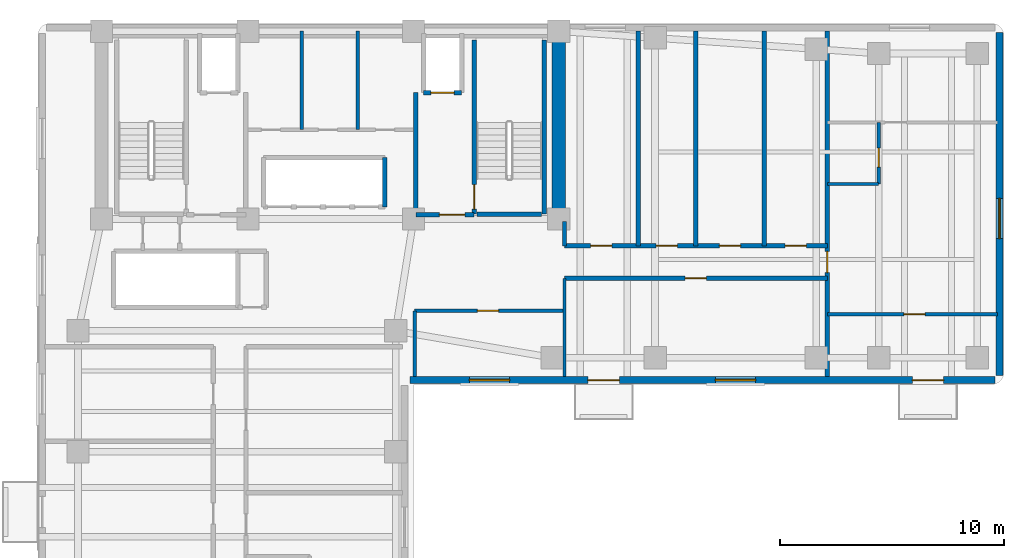
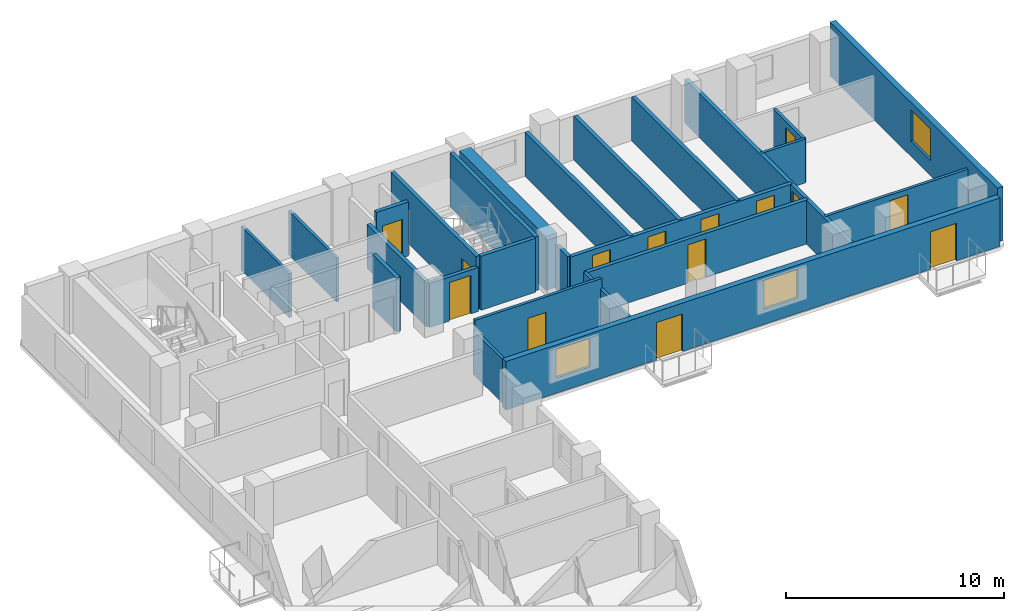
# One storey, part 4 of 7: 25 walls, 14 doors, 3 windows, 17 openings.
"""IFC4 building model written with IfcOpenShell, lengths in metres."""

from ifc_helpers import new_model, si_unit, direction, frame, frame_2d, origin, place, context, subcontext, project, spatial, rectangle, extrude, material, layer, layer_set, type_object, element, fill, save


model = new_model("IFC4")

# Units and contexts
model_context = context("Model", 3, precision=1e-05, world=origin(), true_north=direction((0.0, 1.0)))
body_context = subcontext(model_context, "Body", "Model", "MODEL_VIEW")
ifc_project = project(units=[si_unit("LENGTHUNIT", "METRE"), si_unit("AREAUNIT", "SQUARE_METRE"), si_unit("VOLUMEUNIT", "CUBIC_METRE"), si_unit("PLANEANGLEUNIT", "RADIAN"), si_unit("MASSUNIT", "GRAM", prefix="KILO")], contexts=[model_context])

# Site, building, storey
site_placement = place(None, origin())
site = spatial("IfcSite", under=ifc_project, at=site_placement, CompositionType="ELEMENT")
building_placement = place(site_placement, origin())
building = spatial("IfcBuilding", under=site, at=building_placement, Name="Kuzgunbayir Cultural Tower", CompositionType="ELEMENT")
storey_placement = place(building_placement, frame((0.0, 0.0, 133.0)))
storey = spatial("IfcBuildingStorey", under=building, at=storey_placement, Name="L38", CompositionType="ELEMENT", Elevation=133.0)

# Wall
ifc_material_1 = material(Name="Concrete C60/75", Category="concrete")
ifc_layer_1 = layer(ifc_material_1, 0.60009765625)
ifc_layer_set_1 = layer_set([ifc_layer_1], Name="Concrete C60/75")
wall_type_1 = type_object("IfcWallType", Name="WAL-CORE-600", PredefinedType="SHEAR", material=ifc_layer_set_1)
wall_1_placement = place(storey_placement, frame((26.89990234375, 33.800048828125, 0.0), z_axis=(0.0, 0.0, 1.0), x_axis=(0.0, 1.0, 0.0)))
element("IfcWall", 1, at=wall_1_placement, inside=storey, type_object=wall_type_1, Name="L38 T1 Core East Shear Wall", PredefinedType="SHEAR", context=body_context, shape_type="SweptSolid", body=[
    extrude(rectangle(XDim=7.949951171875, YDim=0.60009765625, at=frame_2d((3.97509765625, 0.0))), origin(), (0.0, 0.0, 1.0), 3.02001953125),
])

# Wall, openings, doors, windows
ifc_material_2 = material(Name="Anatolian Cream Limestone", Category="masonry")
ifc_layer_2 = layer(ifc_material_2, 0.300048828125)
ifc_layer_set_2 = layer_set([ifc_layer_2], Name="Anatolian Cream Limestone")
wall_type_2 = type_object("IfcWallType", Name="WAL-EXT-STONE-300", PredefinedType="STANDARD", material=ifc_layer_set_2)
wall_2_placement = place(storey_placement, frame((20.25, 26.60009765625, 0.0), z_axis=(0.0, 0.0, 1.0), x_axis=(1.0, 0.0, 0.0)))
wall_2 = element("IfcWall", 2, at=wall_2_placement, inside=storey, type_object=wall_type_2, Name="L38 Wing B South Limestone Wall", PredefinedType="STANDARD", context=body_context, shape_type="SweptSolid", body=[
    extrude(rectangle(XDim=26.14990234375, YDim=0.300048828125, at=frame_2d((13.074951171875, 0.0))), origin(), (0.0, 0.0, 1.0), 2.7099609375),
])
opening_1_placement = place(wall_2_placement, frame((7.949951171875, 0.0, 0.0)))
opening_1 = element("IfcOpeningElement", 3, at=opening_1_placement, cuts=wall_2, Name="Opening BD-15", PredefinedType="OPENING", context=body_context, shape_type="SweptSolid", body=[
    extrude(rectangle(XDim=1.39990234375, YDim=2.10009765625, at=frame_2d((0.699951171875, 1.050048828125))), frame((0.0, 0.16015625, 0.0), z_axis=(0.0, -1.0, 0.0), x_axis=(1.0, 0.0, 0.0)), (0.0, 0.0, 1.0), 0.320068359375),
])
opening_2_placement = place(wall_2_placement, frame((22.449951171875, 0.0, 0.0)))
opening_2 = element("IfcOpeningElement", 4, at=opening_2_placement, cuts=wall_2, Name="Opening BD-15", PredefinedType="OPENING", context=body_context, shape_type="SweptSolid", body=[
    extrude(rectangle(XDim=1.39990234375, YDim=2.10009765625, at=frame_2d((0.699951171875, 1.050048828125))), frame((0.0, 0.16015625, 0.0), z_axis=(0.0, -1.0, 0.0), x_axis=(1.0, 0.0, 0.0)), (0.0, 0.0, 1.0), 0.320068359375),
])
opening_3_placement = place(wall_2_placement, frame((2.64990234375, 0.0, 0.85009765625)))
opening_3 = element("IfcOpeningElement", 5, at=opening_3_placement, cuts=wall_2, Name="Opening WH-18", PredefinedType="OPENING", context=body_context, shape_type="SweptSolid", body=[
    extrude(rectangle(XDim=1.800048828125, YDim=1.610107421875, at=frame_2d((0.89990234375, 0.80517578125))), frame((0.0, 0.16015625, 0.0), z_axis=(0.0, -1.0, 0.0), x_axis=(1.0, 0.0, 0.0)), (0.0, 0.0, 1.0), 0.320068359375),
])
opening_4_placement = place(wall_2_placement, frame((13.64990234375, 0.0, 0.85009765625)))
opening_4 = element("IfcOpeningElement", 6, at=opening_4_placement, cuts=wall_2, Name="Opening WH-18", PredefinedType="OPENING", context=body_context, shape_type="SweptSolid", body=[
    extrude(rectangle(XDim=1.800048828125, YDim=1.610107421875, at=frame_2d((0.89990234375, 0.80517578125))), frame((0.0, 0.16015625, 0.0), z_axis=(0.0, -1.0, 0.0), x_axis=(1.0, 0.0, 0.0)), (0.0, 0.0, 1.0), 0.320068359375),
])
ifc_material_3 = material(Name="Thermally Broken Glazed Aluminium", Category="aluminium")
door_type_1 = type_object("IfcDoorType", Name="DR-BALCONY-150", OperationType="SLIDING_TO_RIGHT", PredefinedType="DOOR", material=ifc_material_3)
door_1_placement = place(opening_1_placement, origin())
door_1 = element("IfcDoor", 7, at=door_1_placement, inside=storey, type_object=door_type_1, Name="L38 South Balcony Sliding Door BAL-L38-WB1", OperationType="SLIDING_TO_RIGHT", OverallHeight=2.10009765625, OverallWidth=1.39990234375, PredefinedType="DOOR", context=body_context, shape_type="SweptSolid", body=[
    extrude(rectangle(XDim=1.39990234375, YDim=2.10009765625, at=frame_2d((0.699951171875, 1.050048828125))), frame((0.0, 0.02490234375, 0.0), z_axis=(0.0, -1.0, 0.0), x_axis=(1.0, 0.0, 0.0)), (0.0, 0.0, 1.0), 0.050048828125),
])
fill(opening_1, door_1)
door_2_placement = place(opening_2_placement, origin())
door_2 = element("IfcDoor", 8, at=door_2_placement, inside=storey, type_object=door_type_1, Name="L38 South Balcony Sliding Door BAL-L38-WB3", OperationType="SLIDING_TO_RIGHT", OverallHeight=2.10009765625, OverallWidth=1.39990234375, PredefinedType="DOOR", context=body_context, shape_type="SweptSolid", body=[
    extrude(rectangle(XDim=1.39990234375, YDim=2.10009765625, at=frame_2d((0.699951171875, 1.050048828125))), frame((0.0, 0.02490234375, 0.0), z_axis=(0.0, -1.0, 0.0), x_axis=(1.0, 0.0, 0.0)), (0.0, 0.0, 1.0), 0.050048828125),
])
fill(opening_2, door_2)
ifc_material_4 = material(Name="Solar-Control Triple Glazing", Category="glass")
window_type = type_object("IfcWindowType", Name="WIN-HOTEL-18", PartitioningType="SINGLE_PANEL", PredefinedType="WINDOW", material=ifc_material_4)
window_1_placement = place(opening_3_placement, origin())
window_1 = element("IfcWindow", 9, at=window_1_placement, inside=storey, type_object=window_type, Name="L38 WBS Facade Window 1", OverallHeight=1.610107421875, OverallWidth=1.800048828125, PartitioningType="SINGLE_PANEL", PredefinedType="WINDOW", context=body_context, shape_type="SweptSolid", body=[
    extrude(rectangle(XDim=1.800048828125, YDim=1.610107421875, at=frame_2d((0.89990234375, 0.80517578125))), frame((0.0, 0.030029296875, 0.0), z_axis=(0.0, -1.0, 0.0), x_axis=(1.0, 0.0, 0.0)), (0.0, 0.0, 1.0), 0.06005859375),
])
fill(opening_3, window_1)
window_2_placement = place(opening_4_placement, origin())
window_2 = element("IfcWindow", 10, at=window_2_placement, inside=storey, type_object=window_type, Name="L38 WBS Facade Window 13", OverallHeight=1.610107421875, OverallWidth=1.800048828125, PartitioningType="SINGLE_PANEL", PredefinedType="WINDOW", context=body_context, shape_type="SweptSolid", body=[
    extrude(rectangle(XDim=1.800048828125, YDim=1.610107421875, at=frame_2d((0.89990234375, 0.80517578125))), frame((0.0, 0.030029296875, 0.0), z_axis=(0.0, -1.0, 0.0), x_axis=(1.0, 0.0, 0.0)), (0.0, 0.0, 1.0), 0.06005859375),
])
fill(opening_4, window_2)

# Wall, opening, window
wall_3_placement = place(storey_placement, frame((46.60009765625, 26.800048828125, 0.0), z_axis=(0.0, 0.0, 1.0), x_axis=(0.0, 1.0, 0.0)))
wall_3 = element("IfcWall", 11, at=wall_3_placement, inside=storey, type_object=wall_type_2, Name="L38 Wing B East Limestone Wall", PredefinedType="STANDARD", context=body_context, shape_type="SweptSolid", body=[
    extrude(rectangle(XDim=15.349853515625, YDim=0.300048828125, at=frame_2d((7.6748046875, 0.0))), origin(), (0.0, 0.0, 1.0), 3.02001953125),
])
opening_5_placement = place(wall_3_placement, frame((6.1298828125, 0.0, 0.85009765625)))
opening_5 = element("IfcOpeningElement", 12, at=opening_5_placement, cuts=wall_3, Name="Opening WH-18", PredefinedType="OPENING", context=body_context, shape_type="SweptSolid", body=[
    extrude(rectangle(XDim=1.800048828125, YDim=1.75, at=frame_2d((0.89990234375, 0.875))), frame((0.0, 0.16015625, 0.0), z_axis=(0.0, -1.0, 0.0), x_axis=(1.0, 0.0, 0.0)), (0.0, 0.0, 1.0), 0.320068359375),
])
window_3_placement = place(opening_5_placement, origin())
window_3 = element("IfcWindow", 13, at=window_3_placement, inside=storey, type_object=window_type, Name="L38 WBE Facade Window 7", OverallHeight=1.75, OverallWidth=1.800048828125, PartitioningType="SINGLE_PANEL", PredefinedType="WINDOW", context=body_context, shape_type="SweptSolid", body=[
    extrude(rectangle(XDim=1.800048828125, YDim=1.75, at=frame_2d((0.89990234375, 0.875))), frame((0.0, 0.030029296875, 0.0), z_axis=(0.0, -1.0, 0.0), x_axis=(1.0, 0.0, 0.0)), (0.0, 0.0, 1.0), 0.06005859375),
])
fill(opening_5, window_3)

# Walls
ifc_material_5 = material(Name="Acoustic Double-Stud Drywall", Category="gypsum")
ifc_layer_3 = layer(ifc_material_5, 0.14990234375)
ifc_layer_set_3 = layer_set([ifc_layer_3], Name="Acoustic Double-Stud Drywall")
wall_type_3 = type_object("IfcWallType", Name="WAL-PART-ACOUSTIC-150", PredefinedType="PARTITIONING", material=ifc_layer_set_3)
for number, where, z_axis, x_axis, name in (
    (14, (15.39990234375, 37.800048828125, 0.0), (0.0, 0.0, 1.0), (0.0, 1.0, 0.0), "L38 Core Pod Partition 1"),
    (15, (17.89990234375, 37.800048828125, 0.0), (0.0, 0.0, 1.0), (0.0, 1.0, 0.0), "L38 Core Pod Partition 2"),
):
    element("IfcWall", number, at=place(storey_placement, frame(where, z_axis=z_axis, x_axis=x_axis)), inside=storey, type_object=wall_type_3, Name=name, PredefinedType="PARTITIONING", context=body_context, shape_type="SweptSolid", body=[
        extrude(rectangle(XDim=4.39990234375, YDim=0.14990234375, at=frame_2d((2.199951171875, 0.0))), origin(), (0.0, 0.0, 1.0), 2.4599609375),
    ])

# Wall, opening, door
wall_4_placement = place(storey_placement, frame((20.449951171875, 29.699951171875, 0.0), z_axis=(0.0, 0.0, 1.0), x_axis=(1.0, 0.0, 0.0)))
wall_4 = element("IfcWall", 16, at=wall_4_placement, inside=storey, type_object=wall_type_3, Name="L38 Waist Alcove North Wall", PredefinedType="PARTITIONING", context=body_context, shape_type="SweptSolid", body=[
    extrude(rectangle(XDim=6.699951171875, YDim=0.14990234375, at=frame_2d((3.35009765625, 0.0))), origin(), (0.0, 0.0, 1.0), 3.02001953125),
])
opening_6_placement = place(wall_4_placement, frame((2.800048828125, 0.0, 0.0)))
opening_6 = element("IfcOpeningElement", 17, at=opening_6_placement, cuts=wall_4, Name="Opening DI-90", PredefinedType="OPENING", context=body_context, shape_type="SweptSolid", body=[
    extrude(rectangle(XDim=0.949951171875, YDim=2.14990234375, at=frame_2d((0.47509765625, 1.074951171875))), frame((0.0, 0.0849609375, 0.0), z_axis=(0.0, -1.0, 0.0), x_axis=(1.0, 0.0, 0.0)), (0.0, 0.0, 1.0), 0.169921875),
])
ifc_material_6 = material(Name="Veneered Oak Single Leaf", Category="wood")
door_type_2 = type_object("IfcDoorType", Name="DR-INT-90", OperationType="NOTDEFINED", PredefinedType="DOOR", material=ifc_material_6)
door_3_placement = place(opening_6_placement, origin())
door_3 = element("IfcDoor", 18, at=door_3_placement, inside=storey, type_object=door_type_2, Name="L38 Waist Alcove Door", OperationType="SINGLE_SWING_RIGHT", OverallHeight=2.14990234375, OverallWidth=0.949951171875, PredefinedType="DOOR", context=body_context, shape_type="SweptSolid", body=[
    extrude(rectangle(XDim=0.949951171875, YDim=2.14990234375, at=frame_2d((0.47509765625, 1.074951171875))), frame((0.0, 0.02490234375, 0.0), z_axis=(0.0, -1.0, 0.0), x_axis=(1.0, 0.0, 0.0)), (0.0, 0.0, 1.0), 0.050048828125),
])
fill(opening_6, door_3)

# Walls
wall_5_placement = place(storey_placement, frame((20.449951171875, 26.75, 0.0), z_axis=(0.0, 0.0, 1.0), x_axis=(0.0, 1.0, 0.0)))
element("IfcWall", 19, at=wall_5_placement, inside=storey, type_object=wall_type_3, Name="L38 Waist Alcove West Wall", PredefinedType="PARTITIONING", context=body_context, shape_type="SweptSolid", body=[
    extrude(rectangle(XDim=2.949951171875, YDim=0.14990234375, at=frame_2d((1.47509765625, 0.0))), origin(), (0.0, 0.0, 1.0), 2.4599609375),
])
wall_6_placement = place(storey_placement, frame((27.14990234375, 26.75, 0.0), z_axis=(0.0, 0.0, 1.0), x_axis=(0.0, 1.0, 0.0)))
element("IfcWall", 20, at=wall_6_placement, inside=storey, type_object=wall_type_3, Name="L38 Waist Alcove East Wall", PredefinedType="PARTITIONING", context=body_context, shape_type="SweptSolid", body=[
    extrude(rectangle(XDim=4.39990234375, YDim=0.14990234375, at=frame_2d((2.199951171875, 0.0))), origin(), (0.0, 0.0, 1.0), 2.4599609375),
])
ifc_material_7 = material(Name="Aerated Concrete Blockwork", Category="masonry")
ifc_layer_4 = layer(ifc_material_7, 0.199951171875)
ifc_layer_set_4 = layer_set([ifc_layer_4], Name="Aerated Concrete Blockwork")
wall_type_4 = type_object("IfcWallType", Name="WAL-PART-FIRE-200", PredefinedType="PARTITIONING", material=ifc_layer_set_4)
wall_7_placement = place(storey_placement, frame((20.5, 34.0, 0.0), z_axis=(0.0, 0.0, 1.0), x_axis=(0.0, 1.0, 0.0)))
element("IfcWall", 21, at=wall_7_placement, inside=storey, type_object=wall_type_4, Name="L38 FFL-2 Lobby West Fire Wall", PredefinedType="PARTITIONING", context=body_context, shape_type="SweptSolid", body=[
    extrude(rectangle(XDim=5.449951171875, YDim=0.199951171875, at=frame_2d((2.72509765625, 0.0))), origin(), (0.0, 0.0, 1.0), 2.4599609375),
])

# Wall, opening, door
wall_8_placement = place(storey_placement, frame((20.5, 34.0, 0.0), z_axis=(0.0, 0.0, 1.0), x_axis=(1.0, 0.0, 0.0)))
wall_8 = element("IfcWall", 22, at=wall_8_placement, inside=storey, type_object=wall_type_4, Name="L38 FFL-2 Lobby South Fire Wall", PredefinedType="PARTITIONING", context=body_context, shape_type="SweptSolid", body=[
    extrude(rectangle(XDim=2.60009765625, YDim=0.199951171875, at=frame_2d((1.300048828125, 0.0))), origin(), (0.0, 0.0, 1.0), 2.4599609375),
])
opening_7_placement = place(wall_8_placement, frame((1.050048828125, 0.0, 0.0)))
opening_7 = element("IfcOpeningElement", 23, at=opening_7_placement, cuts=wall_8, Name="Opening DR-FFL-90", PredefinedType="OPENING", context=body_context, shape_type="SweptSolid", body=[
    extrude(rectangle(XDim=1.14990234375, YDim=2.14990234375, at=frame_2d((0.574951171875, 1.074951171875))), frame((0.0, 0.10986328125, 0.0), z_axis=(0.0, -1.0, 0.0), x_axis=(1.0, 0.0, 0.0)), (0.0, 0.0, 1.0), 0.219970703125),
])
ifc_material_8 = material(Name="Steel S355J2", Category="steel")
door_type_3 = type_object("IfcDoorType", Name="DR-FFL-90", OperationType="NOTDEFINED", PredefinedType="DOOR", material=ifc_material_8)
door_4_placement = place(opening_7_placement, origin())
door_4 = element("IfcDoor", 24, at=door_4_placement, inside=storey, type_object=door_type_3, Name="L38 Firefighting Lobby 2 Door", OperationType="SINGLE_SWING_RIGHT", OverallHeight=2.14990234375, OverallWidth=1.14990234375, PredefinedType="DOOR", context=body_context, shape_type="SweptSolid", body=[
    extrude(rectangle(XDim=1.14990234375, YDim=2.14990234375, at=frame_2d((0.574951171875, 1.074951171875))), frame((0.0, 0.02490234375, 0.0), z_axis=(0.0, -1.0, 0.0), x_axis=(1.0, 0.0, 0.0)), (0.0, 0.0, 1.0), 0.050048828125),
])
fill(opening_7, door_4)

wall_9_placement = place(storey_placement, frame((27.14990234375, 31.14990234375, 0.0), z_axis=(0.0, 0.0, 1.0), x_axis=(1.0, 0.0, 0.0)))
wall_9 = element("IfcWall", 25, at=wall_9_placement, inside=storey, type_object=wall_type_4, Name="L38 Wing B Hotel Corridor South Wall", PredefinedType="PARTITIONING", context=body_context, shape_type="SweptSolid", body=[
    extrude(rectangle(XDim=11.75, YDim=0.199951171875, at=frame_2d((5.875, 0.0))), origin(), (0.0, 0.0, 1.0), 2.4599609375),
])
opening_8_placement = place(wall_9_placement, frame((5.389892578125, 0.0, 0.0)))
opening_8 = element("IfcOpeningElement", 26, at=opening_8_placement, cuts=wall_9, Name="Opening DI-90", PredefinedType="OPENING", context=body_context, shape_type="SweptSolid", body=[
    extrude(rectangle(XDim=0.949951171875, YDim=2.14990234375, at=frame_2d((0.47509765625, 1.074951171875))), frame((0.0, 0.10986328125, 0.0), z_axis=(0.0, -1.0, 0.0), x_axis=(1.0, 0.0, 0.0)), (0.0, 0.0, 1.0), 0.219970703125),
])
door_5_placement = place(opening_8_placement, origin())
door_5 = element("IfcDoor", 27, at=door_5_placement, inside=storey, type_object=door_type_2, Name="L38 Wellness Consultation Studio B1 Door", OperationType="SINGLE_SWING_RIGHT", OverallHeight=2.14990234375, OverallWidth=0.949951171875, PredefinedType="DOOR", context=body_context, shape_type="SweptSolid", body=[
    extrude(rectangle(XDim=0.949951171875, YDim=2.14990234375, at=frame_2d((0.47509765625, 1.074951171875))), frame((0.0, 0.02490234375, 0.0), z_axis=(0.0, -1.0, 0.0), x_axis=(1.0, 0.0, 0.0)), (0.0, 0.0, 1.0), 0.050048828125),
])
fill(opening_8, door_5)

# Wall, openings, doors
wall_10_placement = place(storey_placement, frame((27.14990234375, 32.60009765625, 0.0), z_axis=(0.0, 0.0, 1.0), x_axis=(1.0, 0.0, 0.0)))
wall_10 = element("IfcWall", 28, at=wall_10_placement, inside=storey, type_object=wall_type_4, Name="L38 Wing B Hotel Corridor North Wall", PredefinedType="PARTITIONING", context=body_context, shape_type="SweptSolid", body=[
    extrude(rectangle(XDim=11.75, YDim=0.199951171875, at=frame_2d((5.875, 0.0))), origin(), (0.0, 0.0, 1.0), 2.4599609375),
])
opening_9_placement = place(wall_10_placement, frame((1.169921875, 0.0, 0.0)))
opening_9 = element("IfcOpeningElement", 29, at=opening_9_placement, cuts=wall_10, Name="Opening DI-90", PredefinedType="OPENING", context=body_context, shape_type="SweptSolid", body=[
    extrude(rectangle(XDim=0.949951171875, YDim=2.14990234375, at=frame_2d((0.47509765625, 1.074951171875))), frame((0.0, 0.10986328125, 0.0), z_axis=(0.0, -1.0, 0.0), x_axis=(1.0, 0.0, 0.0)), (0.0, 0.0, 1.0), 0.219970703125),
])
opening_10_placement = place(wall_10_placement, frame((4.10009765625, 0.0, 0.0)))
opening_10 = element("IfcOpeningElement", 30, at=opening_10_placement, cuts=wall_10, Name="Opening DI-90", PredefinedType="OPENING", context=body_context, shape_type="SweptSolid", body=[
    extrude(rectangle(XDim=0.949951171875, YDim=2.14990234375, at=frame_2d((0.47509765625, 1.074951171875))), frame((0.0, 0.10986328125, 0.0), z_axis=(0.0, -1.0, 0.0), x_axis=(1.0, 0.0, 0.0)), (0.0, 0.0, 1.0), 0.219970703125),
])
opening_11_placement = place(wall_10_placement, frame((6.919921875, 0.0, 0.0)))
opening_11 = element("IfcOpeningElement", 31, at=opening_11_placement, cuts=wall_10, Name="Opening DI-90", PredefinedType="OPENING", context=body_context, shape_type="SweptSolid", body=[
    extrude(rectangle(XDim=0.949951171875, YDim=2.14990234375, at=frame_2d((0.47509765625, 1.074951171875))), frame((0.0, 0.10986328125, 0.0), z_axis=(0.0, -1.0, 0.0), x_axis=(1.0, 0.0, 0.0)), (0.0, 0.0, 1.0), 0.219970703125),
])
opening_12_placement = place(wall_10_placement, frame((9.860107421875, 0.0, 0.0)))
opening_12 = element("IfcOpeningElement", 32, at=opening_12_placement, cuts=wall_10, Name="Opening DI-90", PredefinedType="OPENING", context=body_context, shape_type="SweptSolid", body=[
    extrude(rectangle(XDim=0.949951171875, YDim=2.14990234375, at=frame_2d((0.47509765625, 1.074951171875))), frame((0.0, 0.10986328125, 0.0), z_axis=(0.0, -1.0, 0.0), x_axis=(1.0, 0.0, 0.0)), (0.0, 0.0, 1.0), 0.219970703125),
])
door_6_placement = place(opening_9_placement, origin())
door_6 = element("IfcDoor", 33, at=door_6_placement, inside=storey, type_object=door_type_2, Name="L38 North Wellness Consultation Studio 1 Door", OperationType="SINGLE_SWING_LEFT", OverallHeight=2.14990234375, OverallWidth=0.949951171875, PredefinedType="DOOR", context=body_context, shape_type="SweptSolid", body=[
    extrude(rectangle(XDim=0.949951171875, YDim=2.14990234375, at=frame_2d((0.47509765625, 1.074951171875))), frame((0.0, 0.02490234375, 0.0), z_axis=(0.0, -1.0, 0.0), x_axis=(1.0, 0.0, 0.0)), (0.0, 0.0, 1.0), 0.050048828125),
])
fill(opening_9, door_6)
door_7_placement = place(opening_10_placement, origin())
door_7 = element("IfcDoor", 34, at=door_7_placement, inside=storey, type_object=door_type_2, Name="L38 North Fellows Reading Lounge 2 Door", OperationType="SINGLE_SWING_RIGHT", OverallHeight=2.14990234375, OverallWidth=0.949951171875, PredefinedType="DOOR", context=body_context, shape_type="SweptSolid", body=[
    extrude(rectangle(XDim=0.949951171875, YDim=2.14990234375, at=frame_2d((0.47509765625, 1.074951171875))), frame((0.0, 0.02490234375, 0.0), z_axis=(0.0, -1.0, 0.0), x_axis=(1.0, 0.0, 0.0)), (0.0, 0.0, 1.0), 0.050048828125),
])
fill(opening_10, door_7)
door_8_placement = place(opening_11_placement, origin())
door_8 = element("IfcDoor", 35, at=door_8_placement, inside=storey, type_object=door_type_2, Name="L38 North Curatorial Office 3 Door", OperationType="SINGLE_SWING_LEFT", OverallHeight=2.14990234375, OverallWidth=0.949951171875, PredefinedType="DOOR", context=body_context, shape_type="SweptSolid", body=[
    extrude(rectangle(XDim=0.949951171875, YDim=2.14990234375, at=frame_2d((0.47509765625, 1.074951171875))), frame((0.0, 0.02490234375, 0.0), z_axis=(0.0, -1.0, 0.0), x_axis=(1.0, 0.0, 0.0)), (0.0, 0.0, 1.0), 0.050048828125),
])
fill(opening_11, door_8)
door_9_placement = place(opening_12_placement, origin())
door_9 = element("IfcDoor", 36, at=door_9_placement, inside=storey, type_object=door_type_2, Name="L38 North Seminar Boardroom 4 Door", OperationType="SINGLE_SWING_RIGHT", OverallHeight=2.14990234375, OverallWidth=0.949951171875, PredefinedType="DOOR", context=body_context, shape_type="SweptSolid", body=[
    extrude(rectangle(XDim=0.949951171875, YDim=2.14990234375, at=frame_2d((0.47509765625, 1.074951171875))), frame((0.0, 0.02490234375, 0.0), z_axis=(0.0, -1.0, 0.0), x_axis=(1.0, 0.0, 0.0)), (0.0, 0.0, 1.0), 0.050048828125),
])
fill(opening_12, door_9)

# Wall
wall_11_placement = place(storey_placement, frame((27.14990234375, 32.60009765625, 0.0), z_axis=(0.0, 0.0, 1.0), x_axis=(0.0, 1.0, 0.0)))
element("IfcWall", 37, at=wall_11_placement, inside=storey, type_object=wall_type_4, Name="L38 Wing B North Core Closure Wall", PredefinedType="PARTITIONING", context=body_context, shape_type="SweptSolid", body=[
    extrude(rectangle(XDim=1.079833984375, YDim=0.199951171875, at=frame_2d((0.5400390625, 0.0))), origin(), (0.0, 0.0, 1.0), 2.4599609375),
])

# Wall, opening, door
wall_12_placement = place(storey_placement, frame((38.89990234375, 26.75, 0.0), z_axis=(0.0, 0.0, 1.0), x_axis=(0.0, 1.0, 0.0)))
wall_12 = element("IfcWall", 38, at=wall_12_placement, inside=storey, type_object=wall_type_4, Name="L38 Wing B East Suite Wall", PredefinedType="PARTITIONING", context=body_context, shape_type="SweptSolid", body=[
    extrude(rectangle(XDim=15.449951171875, YDim=0.199951171875, at=frame_2d((7.72509765625, 0.0))), origin(), (0.0, 0.0, 1.0), 2.4599609375),
])
opening_13_placement = place(wall_12_placement, frame((4.64990234375, 0.0, 0.0)))
opening_13 = element("IfcOpeningElement", 39, at=opening_13_placement, cuts=wall_12, Name="Opening DR-APT-60", PredefinedType="OPENING", context=body_context, shape_type="SweptSolid", body=[
    extrude(rectangle(XDim=0.949951171875, YDim=2.14990234375, at=frame_2d((0.47509765625, 1.074951171875))), frame((0.0, 0.10986328125, 0.0), z_axis=(0.0, -1.0, 0.0), x_axis=(1.0, 0.0, 0.0)), (0.0, 0.0, 1.0), 0.219970703125),
])
ifc_material_9 = material(Name="Acoustic Fire Timber Leaf", Category="wood")
door_type_4 = type_object("IfcDoorType", Name="DR-APT-60", OperationType="NOTDEFINED", PredefinedType="DOOR", material=ifc_material_9)
door_10_placement = place(opening_13_placement, origin())
door_10 = element("IfcDoor", 40, at=door_10_placement, inside=storey, type_object=door_type_4, Name="L38 Corner Suite Entrance", OperationType="SINGLE_SWING_RIGHT", OverallHeight=2.14990234375, OverallWidth=0.949951171875, PredefinedType="DOOR", context=body_context, shape_type="SweptSolid", body=[
    extrude(rectangle(XDim=0.949951171875, YDim=2.14990234375, at=frame_2d((0.47509765625, 1.074951171875))), frame((0.0, 0.02490234375, 0.0), z_axis=(0.0, -1.0, 0.0), x_axis=(1.0, 0.0, 0.0)), (0.0, 0.0, 1.0), 0.050048828125),
])
fill(opening_13, door_10)

# Walls
for number, where, z_axis, x_axis, name in (
    (41, (30.43994140625, 32.60009765625, 0.0), (0.0, 0.0, 1.0), (0.0, 1.0, 0.0), "L38 Wing B North Party Wall 1"),
    (42, (33.02001953125, 32.60009765625, 0.0), (0.0, 0.0, 1.0), (0.0, 1.0, 0.0), "L38 Wing B North Party Wall 2"),
    (43, (36.080078125, 32.60009765625, 0.0), (0.0, 0.0, 1.0), (0.0, 1.0, 0.0), "L38 Wing B North Party Wall 3"),
):
    element("IfcWall", number, at=place(storey_placement, frame(where, z_axis=z_axis, x_axis=x_axis)), inside=storey, type_object=wall_type_4, Name=name, PredefinedType="PARTITIONING", context=body_context, shape_type="SweptSolid", body=[
        extrude(rectangle(XDim=9.599853515625, YDim=0.199951171875, at=frame_2d((4.7998046875, 0.0))), origin(), (0.0, 0.0, 1.0), 2.4599609375),
    ])

# Wall, opening, door
ifc_material_10 = material(Name="Moisture-Resistant Tile Partition", Category="gypsum")
ifc_layer_5 = layer(ifc_material_10, 0.14990234375)
ifc_layer_set_5 = layer_set([ifc_layer_5], Name="Moisture-Resistant Tile Partition")
wall_type_5 = type_object("IfcWallType", Name="WAL-PART-WET-150", PredefinedType="PARTITIONING", material=ifc_layer_set_5)
wall_13_placement = place(storey_placement, frame((38.89990234375, 29.550048828125, 0.0), z_axis=(0.0, 0.0, 1.0), x_axis=(1.0, 0.0, 0.0)))
wall_13 = element("IfcWall", 44, at=wall_13_placement, inside=storey, type_object=wall_type_5, Name="L38 Corner Suite Kitchen Wall", PredefinedType="PARTITIONING", context=body_context, shape_type="SweptSolid", body=[
    extrude(rectangle(XDim=7.60009765625, YDim=0.14990234375, at=frame_2d((3.800048828125, 0.0))), origin(), (0.0, 0.0, 1.0), 2.4599609375),
])
opening_14_placement = place(wall_13_placement, frame((3.419921875, 0.0, 0.0)))
opening_14 = element("IfcOpeningElement", 45, at=opening_14_placement, cuts=wall_13, Name="Opening DI-90", PredefinedType="OPENING", context=body_context, shape_type="SweptSolid", body=[
    extrude(rectangle(XDim=0.949951171875, YDim=2.14990234375, at=frame_2d((0.47509765625, 1.074951171875))), frame((0.0, 0.0849609375, 0.0), z_axis=(0.0, -1.0, 0.0), x_axis=(1.0, 0.0, 0.0)), (0.0, 0.0, 1.0), 0.169921875),
])
door_11_placement = place(opening_14_placement, origin())
door_11 = element("IfcDoor", 46, at=door_11_placement, inside=storey, type_object=door_type_2, Name="L38 Corner Suite Kitchen Door", OperationType="SINGLE_SWING_LEFT", OverallHeight=2.14990234375, OverallWidth=0.949951171875, PredefinedType="DOOR", context=body_context, shape_type="SweptSolid", body=[
    extrude(rectangle(XDim=0.949951171875, YDim=2.14990234375, at=frame_2d((0.47509765625, 1.074951171875))), frame((0.0, 0.02490234375, 0.0), z_axis=(0.0, -1.0, 0.0), x_axis=(1.0, 0.0, 0.0)), (0.0, 0.0, 1.0), 0.050048828125),
])
fill(opening_14, door_11)

# Wall
wall_14_placement = place(storey_placement, frame((38.89990234375, 35.3701171875, 0.0), z_axis=(0.0, 0.0, 1.0), x_axis=(1.0, 0.0, 0.0)))
element("IfcWall", 47, at=wall_14_placement, inside=storey, type_object=wall_type_5, Name="L38 Corner Suite Bath South Wall", PredefinedType="PARTITIONING", context=body_context, shape_type="SweptSolid", body=[
    extrude(rectangle(XDim=2.300048828125, YDim=0.14990234375, at=frame_2d((1.14990234375, 0.0))), origin(), (0.0, 0.0, 1.0), 2.4599609375),
])

# Wall, opening, door
wall_15_placement = place(storey_placement, frame((41.199951171875, 35.3701171875, 0.0), z_axis=(0.0, 0.0, 1.0), x_axis=(0.0, 1.0, 0.0)))
wall_15 = element("IfcWall", 48, at=wall_15_placement, inside=storey, type_object=wall_type_5, Name="L38 Corner Suite Bath East Wall", PredefinedType="PARTITIONING", context=body_context, shape_type="SweptSolid", body=[
    extrude(rectangle(XDim=2.75, YDim=0.14990234375, at=frame_2d((1.375, 0.0))), origin(), (0.0, 0.0, 1.0), 2.4599609375),
])
opening_15_placement = place(wall_15_placement, frame((0.75, 0.0, 0.0)))
opening_15 = element("IfcOpeningElement", 49, at=opening_15_placement, cuts=wall_15, Name="Opening DW-85", PredefinedType="OPENING", context=body_context, shape_type="SweptSolid", body=[
    extrude(rectangle(XDim=0.85009765625, YDim=2.10009765625, at=frame_2d((0.425048828125, 1.050048828125))), frame((0.0, 0.0849609375, 0.0), z_axis=(0.0, -1.0, 0.0), x_axis=(1.0, 0.0, 0.0)), (0.0, 0.0, 1.0), 0.169921875),
])
ifc_material_11 = material(Name="Laminate Moisture-Resistant Leaf", Category="wood")
door_type_5 = type_object("IfcDoorType", Name="DR-WET-85", OperationType="NOTDEFINED", PredefinedType="DOOR", material=ifc_material_11)
door_12_placement = place(opening_15_placement, origin())
door_12 = element("IfcDoor", 50, at=door_12_placement, inside=storey, type_object=door_type_5, Name="L38 Corner Suite Bathroom Door", OperationType="SINGLE_SWING_RIGHT", OverallHeight=2.10009765625, OverallWidth=0.85009765625, PredefinedType="DOOR", context=body_context, shape_type="SweptSolid", body=[
    extrude(rectangle(XDim=0.85009765625, YDim=2.10009765625, at=frame_2d((0.425048828125, 1.050048828125))), frame((0.0, 0.02490234375, 0.0), z_axis=(0.0, -1.0, 0.0), x_axis=(1.0, 0.0, 0.0)), (0.0, 0.0, 1.0), 0.050048828125),
])
fill(opening_15, door_12)

ifc_material_12 = material(Name="Concrete C40/50", Category="concrete")
ifc_layer_6 = layer(ifc_material_12, 0.199951171875)
ifc_layer_set_6 = layer_set([ifc_layer_6], Name="Concrete C40/50")
wall_type_6 = type_object("IfcWallType", Name="WAL-SHAFT-200", PredefinedType="MOVABLE", material=ifc_layer_set_6)
wall_16_placement = place(storey_placement, frame((20.85009765625, 39.449951171875, 0.0), z_axis=(0.0, 0.0, 1.0), x_axis=(1.0, 0.0, 0.0)))
wall_16 = element("IfcWall", 51, at=wall_16_placement, inside=storey, type_object=wall_type_6, Name="L38 FFL-2 Lift Front Wall", PredefinedType="MOVABLE", context=body_context, shape_type="SweptSolid", body=[
    extrude(rectangle(XDim=1.699951171875, YDim=0.199951171875, at=frame_2d((0.85009765625, 0.0))), origin(), (0.0, 0.0, 1.0), 3.02001953125),
])
opening_16_placement = place(wall_16_placement, frame((0.320068359375, 0.0, 0.0)))
opening_16 = element("IfcOpeningElement", 52, at=opening_16_placement, cuts=wall_16, Name="Opening LD", PredefinedType="OPENING", context=body_context, shape_type="SweptSolid", body=[
    extrude(rectangle(XDim=1.050048828125, YDim=2.14990234375, at=frame_2d((0.52490234375, 1.074951171875))), frame((0.0, 0.10986328125, 0.0), z_axis=(0.0, -1.0, 0.0), x_axis=(1.0, 0.0, 0.0)), (0.0, 0.0, 1.0), 0.219970703125),
])
ifc_material_13 = material(Name="Brushed Stainless Steel", Category="steel")
door_type_6 = type_object("IfcDoorType", Name="DR-LIFT-LANDING", OperationType="SLIDING_TO_LEFT", PredefinedType="DOOR", material=ifc_material_13)
door_13_placement = place(opening_16_placement, origin())
door_13 = element("IfcDoor", 53, at=door_13_placement, inside=storey, type_object=door_type_6, Name="L38 Lift FFL-2 Landing Door", OperationType="SLIDING_TO_LEFT", OverallHeight=2.14990234375, OverallWidth=1.050048828125, PredefinedType="DOOR", context=body_context, shape_type="SweptSolid", body=[
    extrude(rectangle(XDim=1.050048828125, YDim=2.14990234375, at=frame_2d((0.52490234375, 1.074951171875))), frame((0.0, 0.02490234375, 0.0), z_axis=(0.0, -1.0, 0.0), x_axis=(1.0, 0.0, 0.0)), (0.0, 0.0, 1.0), 0.050048828125),
])
fill(opening_16, door_13)

# Wall
wall_17_placement = place(storey_placement, frame((19.1201171875, 34.35009765625, 0.0), z_axis=(0.0, 0.0, 1.0), x_axis=(0.0, 1.0, 0.0)))
element("IfcWall", 54, at=wall_17_placement, inside=storey, type_object=wall_type_6, Name="L38 Mid-Rise Lift Shaft East Wall", PredefinedType="MOVABLE", context=body_context, shape_type="SweptSolid", body=[
    extrude(rectangle(XDim=2.199951171875, YDim=0.199951171875, at=frame_2d((1.10009765625, 0.0))), origin(), (0.0, 0.0, 1.0), 3.02001953125),
])

# Wall, opening, door
ifc_layer_7 = layer(ifc_material_12, 0.199951171875)
ifc_layer_set_7 = layer_set([ifc_layer_7], Name="Concrete C40/50")
wall_type_7 = type_object("IfcWallType", Name="WAL-STAIR-RC-200", PredefinedType="SHEAR", material=ifc_layer_set_7)
wall_18_placement = place(storey_placement, frame((23.1201171875, 34.02001953125, 0.0), z_axis=(0.0, 0.0, 1.0), x_axis=(0.0, 1.0, 0.0)))
wall_18 = element("IfcWall", 55, at=wall_18_placement, inside=storey, type_object=wall_type_7, Name="L38 Stair ST-2 West Structural Wall", PredefinedType="SHEAR", context=body_context, shape_type="SweptSolid", body=[
    extrude(rectangle(XDim=7.780029296875, YDim=0.199951171875, at=frame_2d((3.89013671875, 0.0))), origin(), (0.0, 0.0, 1.0), 3.02001953125),
])
opening_17_placement = place(wall_18_placement, frame((0.219970703125, 0.0, 0.0)))
opening_17 = element("IfcOpeningElement", 56, at=opening_17_placement, cuts=wall_18, Name="Opening DR-STAIR-90", PredefinedType="OPENING", context=body_context, shape_type="SweptSolid", body=[
    extrude(rectangle(XDim=1.10009765625, YDim=2.14990234375, at=frame_2d((0.550048828125, 1.074951171875))), frame((0.0, 0.10986328125, 0.0), z_axis=(0.0, -1.0, 0.0), x_axis=(1.0, 0.0, 0.0)), (0.0, 0.0, 1.0), 0.219970703125),
])
door_type_7 = type_object("IfcDoorType", Name="DR-STAIR-90", OperationType="NOTDEFINED", PredefinedType="DOOR", material=ifc_material_8)
door_14_placement = place(opening_17_placement, origin())
door_14 = element("IfcDoor", 57, at=door_14_placement, inside=storey, type_object=door_type_7, Name="L38 Stair ST-2 Fire Door", OperationType="SINGLE_SWING_RIGHT", OverallHeight=2.14990234375, OverallWidth=1.10009765625, PredefinedType="DOOR", context=body_context, shape_type="SweptSolid", body=[
    extrude(rectangle(XDim=1.10009765625, YDim=2.14990234375, at=frame_2d((0.550048828125, 1.074951171875))), frame((0.0, 0.02490234375, 0.0), z_axis=(0.0, -1.0, 0.0), x_axis=(1.0, 0.0, 0.0)), (0.0, 0.0, 1.0), 0.050048828125),
])
fill(opening_17, door_14)

# Walls
wall_19_placement = place(storey_placement, frame((26.239990234375, 34.02001953125, 0.0), z_axis=(0.0, 0.0, 1.0), x_axis=(0.0, 1.0, 0.0)))
element("IfcWall", 58, at=wall_19_placement, inside=storey, type_object=wall_type_7, Name="L38 Stair ST-2 East Structural Wall", PredefinedType="SHEAR", context=body_context, shape_type="SweptSolid", body=[
    extrude(rectangle(XDim=7.780029296875, YDim=0.199951171875, at=frame_2d((3.89013671875, 0.0))), origin(), (0.0, 0.0, 1.0), 3.02001953125),
])
wall_20_placement = place(storey_placement, frame((23.239990234375, 34.02001953125, 0.0), z_axis=(0.0, 0.0, 1.0), x_axis=(1.0, 0.0, 0.0)))
element("IfcWall", 59, at=wall_20_placement, inside=storey, type_object=wall_type_7, Name="L38 Stair ST-2 South Structural Wall", PredefinedType="SHEAR", context=body_context, shape_type="SweptSolid", body=[
    extrude(rectangle(XDim=2.880126953125, YDim=0.199951171875, at=frame_2d((1.43994140625, 0.0))), origin(), (0.0, 0.0, 1.0), 3.02001953125),
])

save(model, "model.ifc")
